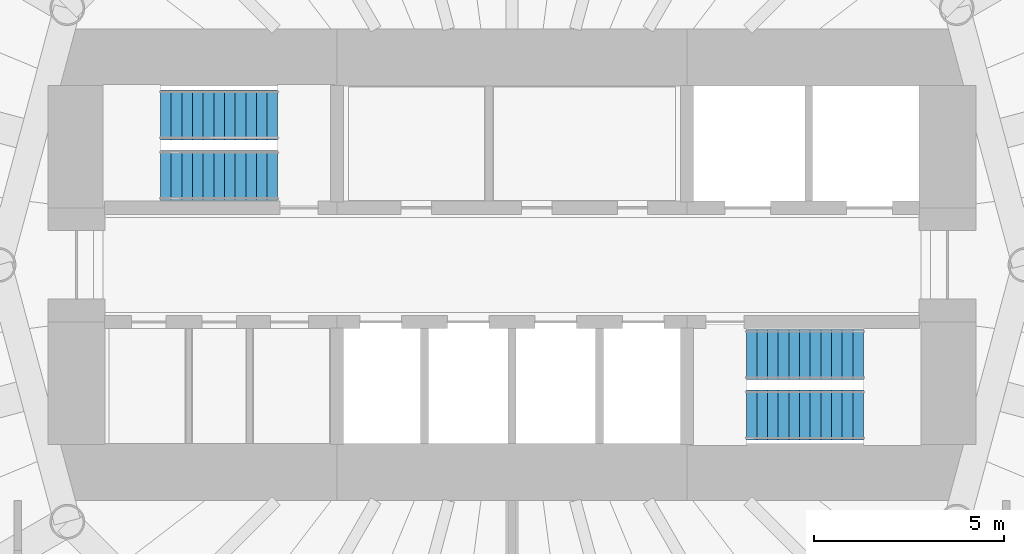
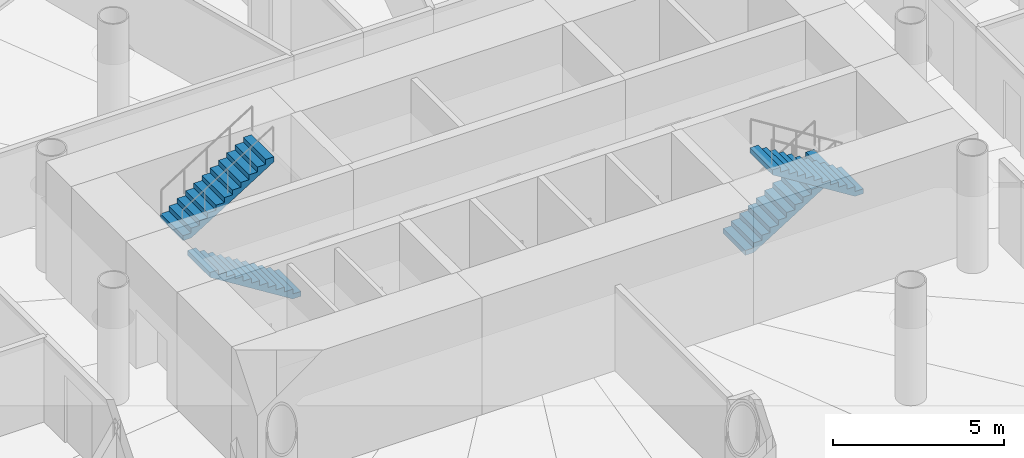
# One storey, part 11 of 14: 4 stair flights, 2 elements without a shape of their own.
"""IFC4 building model written with IfcOpenShell, lengths in metres."""

from ifc_helpers import new_model, si_unit, direction, frame, origin, place, context, subcontext, project, spatial, polyline, outline, extrude, material, type_object, element, aggregate, save


model = new_model("IFC4")

# Units and contexts
model_context = context("Model", 3, precision=1e-05, world=origin(), true_north=direction((0.0, 1.0)))
body_context = subcontext(model_context, "Body", "Model", "MODEL_VIEW")
ifc_project = project(units=[si_unit("LENGTHUNIT", "METRE"), si_unit("AREAUNIT", "SQUARE_METRE"), si_unit("VOLUMEUNIT", "CUBIC_METRE"), si_unit("PLANEANGLEUNIT", "RADIAN"), si_unit("MASSUNIT", "GRAM", prefix="KILO")], contexts=[model_context])

# Site, building, storey
site_placement = place(None, origin())
site = spatial("IfcSite", under=ifc_project, at=site_placement, CompositionType="ELEMENT")
building_placement = place(site_placement, origin())
building = spatial("IfcBuilding", under=site, at=building_placement, Name="Qaws Media Tower", CompositionType="ELEMENT")
storey_placement = place(building_placement, frame((0.0, 0.0, 240.199951171875)))
storey = spatial("IfcBuildingStorey", under=building, at=storey_placement, Name="L55", CompositionType="ELEMENT", Elevation=240.199951171875)

# Stair, stair flights
ifc_material_1 = material(Name="Concrete C40/50", Category="concrete")
stair_type = type_object("IfcStairType", Name="Exit stair", PredefinedType="HALF_TURN_STAIR", material=ifc_material_1)
stair_1_placement = place(storey_placement, origin())
stair_1 = element("IfcStair", 1, at=stair_1_placement, inside=storey, type_object=stair_type, Name="S1 exit stair L55", PredefinedType="HALF_TURN_STAIR")
ifc_material_2 = material(Name="Concrete C40/50", Category="concrete")
stair_flight_type = type_object("IfcStairFlightType", Name="Stair flight 1310", PredefinedType="STRAIGHT", material=ifc_material_2)
stair_flight_1_placement = place(storey_placement, frame((53.840087890625, 52.35498046875, 0.0), z_axis=(0.0, 0.0, 1.0), x_axis=(-1.0, 0.0, 0.0)))
stair_flight_1 = element("IfcStairFlight", 2, at=stair_flight_1_placement, type_object=stair_flight_type, Name="S1 flight 1", NumberOfRisers=12, NumberOfTreads=11, PredefinedType="STRAIGHT", RiserHeight=0.175, TreadLength=0.28, context=body_context, shape_type="SweptSolid", body=[
    extrude(outline(polyline([(0.0, 0.0), (0.0, 0.175048828125), (0.280029296875, 0.175048828125), (0.280029296875, 0.35009765625), (0.56005859375, 0.35009765625), (0.56005859375, 0.52490234375), (0.840087890625, 0.52490234375), (0.840087890625, 0.699951171875), (1.1201171875, 0.699951171875), (1.1201171875, 0.875), (1.39990234375, 0.875), (1.39990234375, 1.050048828125), (1.679931640625, 1.050048828125), (1.679931640625, 1.22509765625), (1.9599609375, 1.22509765625), (1.9599609375, 1.39990234375), (2.239990234375, 1.39990234375), (2.239990234375, 1.574951171875), (2.52001953125, 1.574951171875), (2.52001953125, 1.75), (2.800048828125, 1.75), (2.800048828125, 1.925048828125), (3.080078125, 1.925048828125), (3.080078125, 2.10009765625), (3.080078125, 1.748291015625), (0.28271484375, 0.0), (0.0, 0.0)])), frame((0.0, 0.655029296875, 0.0), z_axis=(0.0, -1.0, 0.0), x_axis=(1.0, 0.0, 0.0)), (0.0, 0.0, 1.0), 1.31005859375),
])
stair_flight_2_placement = place(storey_placement, frame((50.760009765625, 53.945068359375, 2.10009765625), z_axis=(0.0, 0.0, 1.0), x_axis=(1.0, 0.0, 0.0)))
stair_flight_2 = element("IfcStairFlight", 3, at=stair_flight_2_placement, type_object=stair_flight_type, Name="S1 flight 2", NumberOfRisers=12, NumberOfTreads=11, PredefinedType="STRAIGHT", RiserHeight=0.175, TreadLength=0.28, context=body_context, shape_type="SweptSolid", body=[
    extrude(outline(polyline([(0.0, 0.0), (0.0, 0.175048828125), (0.280029296875, 0.175048828125), (0.280029296875, 0.35009765625), (0.56005859375, 0.35009765625), (0.56005859375, 0.52490234375), (0.840087890625, 0.52490234375), (0.840087890625, 0.699951171875), (1.1201171875, 0.699951171875), (1.1201171875, 0.875), (1.39990234375, 0.875), (1.39990234375, 1.050048828125), (1.679931640625, 1.050048828125), (1.679931640625, 1.22509765625), (1.9599609375, 1.22509765625), (1.9599609375, 1.39990234375), (2.239990234375, 1.39990234375), (2.239990234375, 1.574951171875), (2.52001953125, 1.574951171875), (2.52001953125, 1.75), (2.800048828125, 1.75), (2.800048828125, 1.925048828125), (3.080078125, 1.925048828125), (3.080078125, 2.10009765625), (3.080078125, 1.748291015625), (0.28271484375, 0.0), (0.0, 0.0)])), frame((0.0, 0.655029296875, 0.0), z_axis=(0.0, -1.0, 0.0), x_axis=(1.0, 0.0, 0.0)), (0.0, 0.0, 1.0), 1.31005859375),
])
aggregate(stair_1, [stair_flight_1, stair_flight_2])

stair_2_placement = place(storey_placement, origin())
stair_2 = element("IfcStair", 4, at=stair_2_placement, inside=storey, type_object=stair_type, Name="S2 exit stair L55", PredefinedType="HALF_TURN_STAIR")
stair_flight_3_placement = place(storey_placement, frame((66.159912109375, 47.64501953125, 0.0), z_axis=(0.0, 0.0, 1.0), x_axis=(1.0, 0.0, 0.0)))
stair_flight_3 = element("IfcStairFlight", 5, at=stair_flight_3_placement, type_object=stair_flight_type, Name="S2 flight 1", NumberOfRisers=12, NumberOfTreads=11, PredefinedType="STRAIGHT", RiserHeight=0.175, TreadLength=0.28, context=body_context, shape_type="SweptSolid", body=[
    extrude(outline(polyline([(0.0, 0.0), (0.0, 0.175048828125), (0.280029296875, 0.175048828125), (0.280029296875, 0.35009765625), (0.56005859375, 0.35009765625), (0.56005859375, 0.52490234375), (0.840087890625, 0.52490234375), (0.840087890625, 0.699951171875), (1.1201171875, 0.699951171875), (1.1201171875, 0.875), (1.39990234375, 0.875), (1.39990234375, 1.050048828125), (1.679931640625, 1.050048828125), (1.679931640625, 1.22509765625), (1.9599609375, 1.22509765625), (1.9599609375, 1.39990234375), (2.239990234375, 1.39990234375), (2.239990234375, 1.574951171875), (2.52001953125, 1.574951171875), (2.52001953125, 1.75), (2.800048828125, 1.75), (2.800048828125, 1.925048828125), (3.080078125, 1.925048828125), (3.080078125, 2.10009765625), (3.080078125, 1.748291015625), (0.28271484375, 0.0), (0.0, 0.0)])), frame((0.0, 0.655029296875, 0.0), z_axis=(0.0, -1.0, 0.0), x_axis=(1.0, 0.0, 0.0)), (0.0, 0.0, 1.0), 1.31005859375),
])
stair_flight_4_placement = place(storey_placement, frame((69.239990234375, 46.054931640625, 2.10009765625), z_axis=(0.0, 0.0, 1.0), x_axis=(-1.0, 0.0, 0.0)))
stair_flight_4 = element("IfcStairFlight", 6, at=stair_flight_4_placement, type_object=stair_flight_type, Name="S2 flight 2", NumberOfRisers=12, NumberOfTreads=11, PredefinedType="STRAIGHT", RiserHeight=0.175, TreadLength=0.28, context=body_context, shape_type="SweptSolid", body=[
    extrude(outline(polyline([(0.0, 0.0), (0.0, 0.175048828125), (0.280029296875, 0.175048828125), (0.280029296875, 0.35009765625), (0.56005859375, 0.35009765625), (0.56005859375, 0.52490234375), (0.840087890625, 0.52490234375), (0.840087890625, 0.699951171875), (1.1201171875, 0.699951171875), (1.1201171875, 0.875), (1.39990234375, 0.875), (1.39990234375, 1.050048828125), (1.679931640625, 1.050048828125), (1.679931640625, 1.22509765625), (1.9599609375, 1.22509765625), (1.9599609375, 1.39990234375), (2.239990234375, 1.39990234375), (2.239990234375, 1.574951171875), (2.52001953125, 1.574951171875), (2.52001953125, 1.75), (2.800048828125, 1.75), (2.800048828125, 1.925048828125), (3.080078125, 1.925048828125), (3.080078125, 2.10009765625), (3.080078125, 1.748291015625), (0.28271484375, 0.0), (0.0, 0.0)])), frame((0.0, 0.655029296875, 0.0), z_axis=(0.0, -1.0, 0.0), x_axis=(1.0, 0.0, 0.0)), (0.0, 0.0, 1.0), 1.31005859375),
])
aggregate(stair_2, [stair_flight_3, stair_flight_4])

save(model, "model.ifc")
